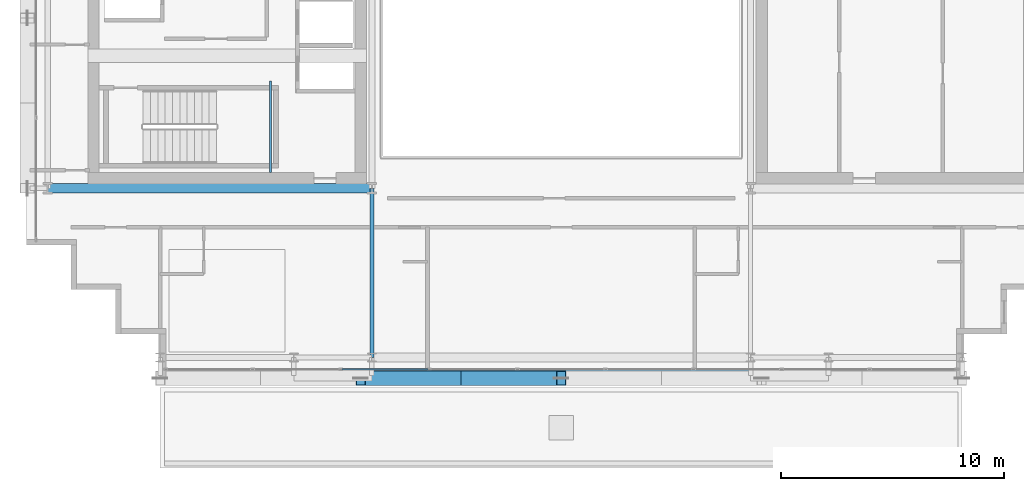
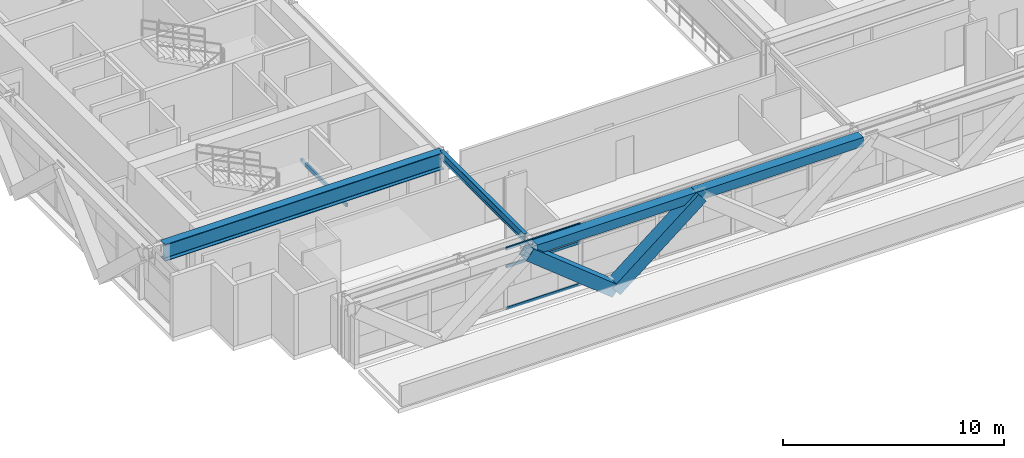
# One storey, part 4 of 34: 5 members, 4 beams, 1 element without a shape of its own.
"""IFC4 building model written with IfcOpenShell, lengths in metres."""

from ifc_helpers import new_model, si_unit, direction, frame, origin, origin_2d, place, context, subcontext, project, spatial, hollow_rectangle, i_section, extrude, source, transform, mapped, material, layer, layer_set, material_profile, profile_set, type_object, element, aggregate, save


model = new_model("IFC4")

# Units and contexts
model_context = context("Model", 3, precision=1e-05, world=origin(), true_north=direction((0.0, 1.0)))
body_context = subcontext(model_context, "Body", "Model", "MODEL_VIEW")
ifc_project = project(units=[si_unit("LENGTHUNIT", "METRE"), si_unit("AREAUNIT", "SQUARE_METRE"), si_unit("VOLUMEUNIT", "CUBIC_METRE"), si_unit("PLANEANGLEUNIT", "RADIAN"), si_unit("MASSUNIT", "GRAM", prefix="KILO")], contexts=[model_context])

# Site, building, storey
site_placement = place(None, origin())
site = spatial("IfcSite", under=ifc_project, at=site_placement, CompositionType="ELEMENT")
building_placement = place(site_placement, origin())
building = spatial("IfcBuilding", under=site, at=building_placement, Name="Ocotamira Hotel", CompositionType="ELEMENT")
storey_placement = place(building_placement, frame((0.0, 0.0, 163.199951171875)))
storey = spatial("IfcBuildingStorey", under=building, at=storey_placement, Name="L40", CompositionType="ELEMENT", Elevation=163.199951171875)

# Beams
ifc_material_1 = material(Name="Steel ASTM A500 Grade C", Category="steel")
ifc_material_profile_1 = material_profile(ifc_material_1, hollow_rectangle(XDim=0.10009765625, YDim=0.199951171875, WallThickness=0.008056640625, at=origin_2d()), Name="HSS200X100X8")
ifc_profile_set_1 = profile_set([ifc_material_profile_1], Name="Steel ASTM A500 Grade C")
beam_type_1 = type_object("IfcBeamType", Name="BM-STLDG-HSS200", PredefinedType="BEAM", material=ifc_profile_set_1)
shared_shape_1 = source(origin(), body_context, "Body", "SweptSolid", [
    extrude(hollow_rectangle(XDim=0.10009765625, YDim=0.199951171875, WallThickness=0.008056640625, at=origin_2d()), origin(), (0.0, 0.0, 1.0), 4.1201171875),
])
beam_1_placement = place(storey_placement, frame((18.949951171875, 15.25, 1.5), z_axis=(0.0, 1.0, 0.0), x_axis=(-1.0, 0.0, 0.0)))
element("IfcBeam", 1, at=beam_1_placement, inside=storey, type_object=beam_type_1, Name="L40 Stair ST-1 Landing Bearer 1", PredefinedType="BEAM", context=body_context, shape_type="MappedRepresentation", body=[
    mapped(shared_shape_1, transform((0.0, 0.0, 0.0), scale=1.0)),
])
ifc_material_2 = material(Name="Steel ASTM A992 Grade 50", Category="steel")
ifc_material_profile_2 = material_profile(ifc_material_2, i_section(OverallWidth=0.41796875, OverallDepth=0.927001953125, WebThickness=0.019287109375, FlangeThickness=0.031982421875, FilletRadius=0.02392578125, at=origin_2d()), Name="W36X231")
ifc_profile_set_2 = profile_set([ifc_material_profile_2], Name="Steel ASTM A992 Grade 50")
beam_type_2 = type_object("IfcBeamType", Name="BM-GIRD-W36X231", PredefinedType="BEAM", material=ifc_profile_set_2)
shared_shape_2 = source(origin(), body_context, "Body", "SweptSolid", [
    extrude(i_section(OverallWidth=0.41796875, OverallDepth=0.927001953125, WebThickness=0.019287109375, FlangeThickness=0.031982421875, FilletRadius=0.02392578125, at=origin_2d()), origin(), (0.0, 0.0, 1.0), 14.550048828125),
])
beam_2_placement = place(storey_placement, frame((8.949951171875, 14.550048828125, 2.906494140625), z_axis=(1.0, 0.0, 0.0), x_axis=(0.0, 1.0, 0.0)))
element("IfcBeam", 2, at=beam_2_placement, inside=storey, type_object=beam_type_2, Name="L40 Girder Y14.55 X8.95-23.5", PredefinedType="BEAM", context=body_context, shape_type="MappedRepresentation", body=[
    mapped(shared_shape_2, transform((0.0, 0.0, 0.0), scale=1.0)),
])
ifc_material_profile_3 = material_profile(ifc_material_1, hollow_rectangle(XDim=0.5, YDim=0.5, WallThickness=0.02001953125, at=origin_2d()), Name="HSS500X500X20")
ifc_profile_set_3 = profile_set([ifc_material_profile_3], Name="Steel ASTM A500 Grade C")
beam_type_3 = type_object("IfcBeamType", Name="BM-SPAN-HSS500", PredefinedType="USERDEFINED", material=ifc_profile_set_3)
shared_shape_3 = source(origin(), body_context, "Body", "SweptSolid", [
    extrude(hollow_rectangle(XDim=0.5, YDim=0.5, WallThickness=0.02001953125, at=origin_2d()), origin(), (0.0, 0.0, 1.0), 17.0),
])
beam_3_placement = place(storey_placement, frame((23.5, 6.14990234375, 3.1201171875), z_axis=(1.0, 0.0, 0.0), x_axis=(0.0, 1.0, 0.0)))
element("IfcBeam", 3, at=beam_3_placement, inside=storey, type_object=beam_type_3, Name="L40 Edge Spandrel S X23.5-40.5", ObjectType="SPANDREL", PredefinedType="USERDEFINED", context=body_context, shape_type="MappedRepresentation", body=[
    mapped(shared_shape_3, transform((0.0, 0.0, 0.0), scale=1.0)),
])
ifc_material_profile_4 = material_profile(ifc_material_2, i_section(OverallWidth=0.18994140625, OverallDepth=0.45703125, WebThickness=0.009033203125, FlangeThickness=0.014404296875, FilletRadius=0.010009765625, at=origin_2d()), Name="W18X50")
ifc_profile_set_4 = profile_set([ifc_material_profile_4], Name="Steel ASTM A992 Grade 50")
beam_type_4 = type_object("IfcBeamType", Name="BM-SEC-W18X50", PredefinedType="JOIST", material=ifc_profile_set_4)
shared_shape_4 = source(origin(), body_context, "Body", "SweptSolid", [
    extrude(i_section(OverallWidth=0.18994140625, OverallDepth=0.45703125, WebThickness=0.009033203125, FlangeThickness=0.014404296875, FilletRadius=0.010009765625, at=origin_2d()), origin(), (0.0, 0.0, 1.0), 7.60009765625),
])
beam_4_placement = place(storey_placement, frame((23.5, 6.949951171875, 3.1416015625), z_axis=(0.0, 1.0, 0.0), x_axis=(-1.0, 0.0, 0.0)))
element("IfcBeam", 4, at=beam_4_placement, inside=storey, type_object=beam_type_4, Name="L40 Beam X23.5 Y6.95-14.55", PredefinedType="JOIST", context=body_context, shape_type="MappedRepresentation", body=[
    mapped(shared_shape_4, transform((0.0, 0.0, 0.0), scale=1.0)),
])

# Members
ifc_material_3 = material(Name="Pale-metal coated steel ASTM A913 Grade 65", Category="steel")
ifc_material_profile_5 = material_profile(ifc_material_3, hollow_rectangle(XDim=0.64990234375, YDim=0.64990234375, WallThickness=0.02197265625, at=origin_2d()), Name="BOX650X650X22")
ifc_profile_set_5 = profile_set([ifc_material_profile_5], Name="Pale-metal coated steel ASTM A913 Grade 65")
member_type_1 = type_object("IfcMemberType", Name="MEM-EXO-BOX650", PredefinedType="BRACE", material=ifc_profile_set_5)
shared_shape_5 = source(origin(), body_context, "Body", "SweptSolid", [
    extrude(hollow_rectangle(XDim=0.64990234375, YDim=0.64990234375, WallThickness=0.02197265625, at=origin_2d()), origin(), (0.0, 0.0, 1.0), 5.762939453125),
])
for number, where, z_axis, x_axis, name in (
    (5, (27.5, 6.030029296875, -0.47998046875), (-0.780860543151, 0.0, 0.624705380279), (0.0, -1.0, 0.0), "L40 Exoskeleton Diagrid S1.1"),
    (6, (27.5, 6.030029296875, -0.47998046875), (0.780860543151, 0.0, 0.624705380279), (0.0, 1.0, 0.0), "L40 Exoskeleton Diagrid S1.2"),
):
    element("IfcMember", number, at=place(storey_placement, frame(where, z_axis=z_axis, x_axis=x_axis)), inside=storey, type_object=member_type_1, Name=name, PredefinedType="BRACE", context=body_context, shape_type="MappedRepresentation", body=[
        mapped(shared_shape_5, transform((0.0, 0.0, 0.0), scale=1.0)),
    ])

# Curtain wall, members
ifc_material_4 = material(Name="Anodised pale-metal aluminium and solar glass", Category="aluminium")
ifc_layer = layer(ifc_material_4, 0.199951171875)
ifc_layer_set = layer_set([ifc_layer], Name="Anodised pale-metal aluminium and solar glass")
curtain_wall_type = type_object("IfcCurtainWallType", Name="CW-SYS4-Z3", PredefinedType="NOTDEFINED", material=ifc_layer_set)
curtain_wall_placement = place(storey_placement, origin())
curtain_wall = element("IfcCurtainWall", 7, at=curtain_wall_placement, inside=storey, type_object=curtain_wall_type, Name="L40 Curtain Wall CW-4 CW-L40-S1", PredefinedType="NOTDEFINED")
ifc_material_5 = material(Name="Anodised pale-metal aluminium 6063-T6", Category="aluminium")
ifc_material_profile_6 = material_profile(ifc_material_5, hollow_rectangle(XDim=0.074951171875, YDim=0.14990234375, WallThickness=0.006103515625, at=origin_2d()), Name="HSS150X75X6")
ifc_profile_set_6 = profile_set([ifc_material_profile_6], Name="Anodised pale-metal aluminium 6063-T6")
member_type_2 = type_object("IfcMemberType", Name="CWT-150X75", PredefinedType="USERDEFINED", material=ifc_profile_set_6)
shared_shape_6 = source(origin(), body_context, "Body", "SweptSolid", [
    extrude(hollow_rectangle(XDim=0.074951171875, YDim=0.14990234375, WallThickness=0.006103515625, at=origin_2d()), origin(), (0.0, 0.0, 1.0), 3.87548828125),
])
member_1_placement = place(storey_placement, frame((22.151123046875, 6.419921875, 0.03759765625), z_axis=(1.0, 0.0, 0.0), x_axis=(0.0, 1.0, 0.0)))
member_1 = element("IfcMember", 8, at=member_1_placement, type_object=member_type_2, Name="CW-4 transom 3.1", ObjectType="TRANSOM", PredefinedType="USERDEFINED", context=body_context, shape_type="MappedRepresentation", body=[
    mapped(shared_shape_6, transform((0.0, 0.0, 0.0), scale=1.0)),
])
member_2_placement = place(storey_placement, frame((22.151123046875, 6.419921875, 2.35009765625), z_axis=(1.0, 0.0, 0.0), x_axis=(0.0, 1.0, 0.0)))
member_2 = element("IfcMember", 9, at=member_2_placement, type_object=member_type_2, Name="CW-4 transom 3.2", ObjectType="TRANSOM", PredefinedType="USERDEFINED", context=body_context, shape_type="MappedRepresentation", body=[
    mapped(shared_shape_6, transform((0.0, 0.0, 0.0), scale=1.0)),
])
member_3_placement = place(storey_placement, frame((22.151123046875, 6.419921875, 3.33251953125), z_axis=(1.0, 0.0, 0.0), x_axis=(0.0, 1.0, 0.0)))
member_3 = element("IfcMember", 10, at=member_3_placement, type_object=member_type_2, Name="CW-4 transom 3.3", ObjectType="TRANSOM", PredefinedType="USERDEFINED", context=body_context, shape_type="MappedRepresentation", body=[
    mapped(shared_shape_6, transform((0.0, 0.0, 0.0), scale=1.0)),
])
aggregate(curtain_wall, [member_1, member_2, member_3])

save(model, "model.ifc")
